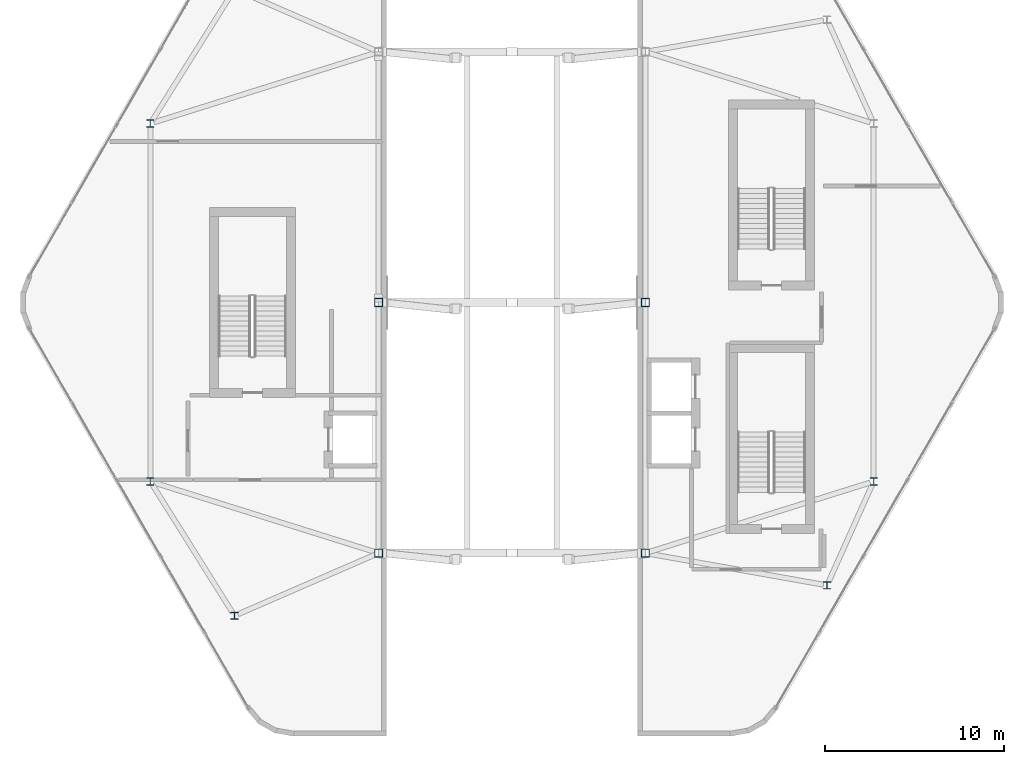
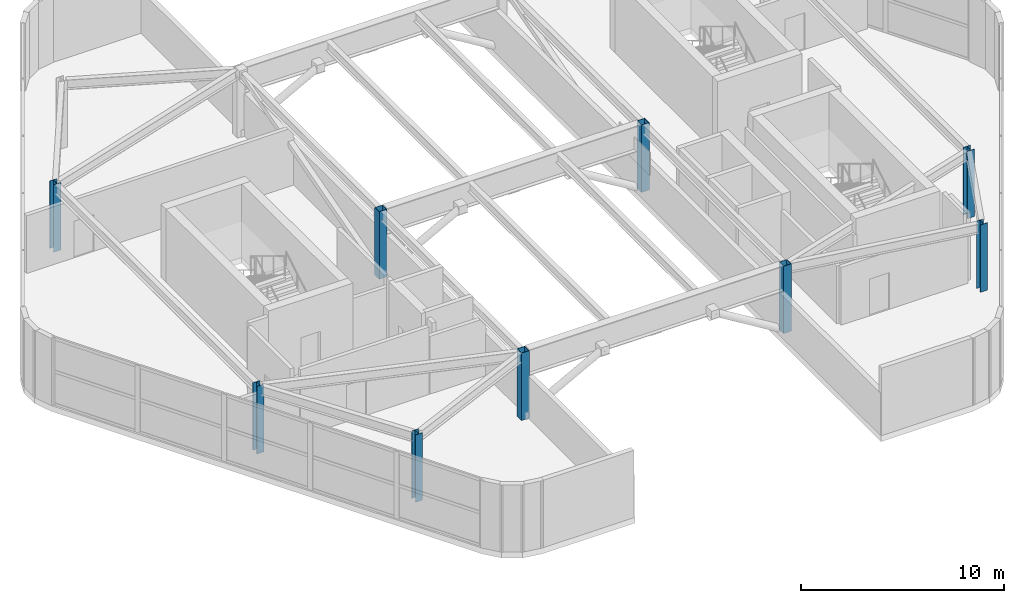
# One storey, part 1 of 16: 9 columns.
"""IFC4 building model written with IfcOpenShell, lengths in metres."""

import ifcopenshell
import ifcopenshell.guid

model = None  # the IFC model being written
_history = None  # IfcOwnerHistory: only IFC2X3 demands one
_inside = {}  # id of a spatial element -> (the spatial element, [elements in it])
_under = {}  # id of a project, library or spatial element -> (it, [spatial elements below it])
_declared = {}  # id of a project -> (the project, [libraries it declares])
_typed = {}  # id of a type object -> (the type object, [elements of that type])
_made_of = {}  # id of a material, layer set ... -> (it, [elements and type objects made of it])


def new_model(schema):
    """Start an empty IFC model of exactly this schema.

    Asked for "IFC4X3", IfcOpenShell would pick the latest addendum, in which some entities
    have other attributes; the version numbers below select the first issue.
    IFC2X3 requires an IfcOwnerHistory on every rooted entity: one is made here for all.
    """
    global model, _history
    if schema == "IFC4X3":
        model = ifcopenshell.file(schema_version=(4, 3, 0, 0))
    else:
        model = ifcopenshell.file(schema=schema)
    _inside.clear()
    _under.clear()
    _declared.clear()
    _typed.clear()
    _made_of.clear()
    _history = None
    if model.schema == "IFC2X3":
        org = make("IfcOrganization", Name="unknown")
        user = make(
            "IfcPersonAndOrganization",
            ThePerson=make("IfcPerson", FamilyName="unknown"),
            TheOrganization=org,
        )
        app = make(
            "IfcApplication",
            ApplicationDeveloper=org,
            Version="unknown",
            ApplicationFullName="unknown",
            ApplicationIdentifier="unknown",
        )
        _history = make(
            "IfcOwnerHistory",
            OwningUser=user,
            OwningApplication=app,
            ChangeAction="ADDED",
            CreationDate=0,
        )
    return model


def make(cls, **values):
    """One entity of the class cls with the attributes given. An attribute that is None is left unset."""
    return model.create_entity(
        cls, **{name: value for name, value in values.items() if value is not None}
    )


def rooted(cls, **values):
    """An entity with a GlobalId (a new one), such as an element, a storey or a relation."""
    return make(cls, GlobalId=ifcopenshell.guid.new(), OwnerHistory=_history, **values)


def si_unit(unit_type, name, prefix=None):
    """IfcSIUnit, for example si_unit("LENGTHUNIT", "METRE", prefix="MILLI")."""
    return make("IfcSIUnit", UnitType=unit_type, Prefix=prefix, Name=name)


def assignment(units):
    """IfcUnitAssignment: the units of a project."""
    return None if units is None else make("IfcUnitAssignment", Units=units)


def point(xyz):
    """IfcCartesianPoint."""
    return None if xyz is None else make("IfcCartesianPoint", Coordinates=xyz)


def direction(xyz):
    """IfcDirection."""
    return None if xyz is None else make("IfcDirection", DirectionRatios=xyz)


def frame(location, z_axis=None, x_axis=None):
    """IfcAxis2Placement3D, a coordinate frame: its origin and axes. An axis left out is left unset."""
    return make(
        "IfcAxis2Placement3D",
        Location=point(location),
        Axis=direction(z_axis),
        RefDirection=direction(x_axis),
    )


def frame_2d(location, x_axis=None):
    """IfcAxis2Placement2D, a coordinate frame in the plane: its origin and x axis."""
    return make(
        "IfcAxis2Placement2D", Location=point(location), RefDirection=direction(x_axis)
    )


def origin():
    """The frame at (0, 0, 0) with its axes left unset."""
    return frame((0.0, 0.0, 0.0))


def origin_2d():
    """The frame at (0, 0) in the plane with its x axis left unset."""
    return frame_2d((0.0, 0.0))


def place(relative_to, where):
    """IfcLocalPlacement: puts the frame where relative to a parent placement (None: the world)."""
    return make(
        "IfcLocalPlacement", PlacementRelTo=relative_to, RelativePlacement=where
    )


def context(
    kind, dimensions, precision=None, world=None, true_north=None, identifier=None
):
    """IfcGeometricRepresentationContext, for example the 3D "Model" context."""
    return make(
        "IfcGeometricRepresentationContext",
        ContextIdentifier=identifier,
        ContextType=kind,
        CoordinateSpaceDimension=dimensions,
        Precision=precision,
        WorldCoordinateSystem=world,
        TrueNorth=true_north,
    )


def subcontext(parent, identifier, kind, view, scale=None):
    """IfcGeometricRepresentationSubContext, for example "Body" below "Model"."""
    return make(
        "IfcGeometricRepresentationSubContext",
        ContextIdentifier=identifier,
        ContextType=kind,
        ParentContext=parent,
        TargetScale=scale,
        TargetView=view,
    )


def project(units=None, contexts=None):
    """IfcProject with its units and contexts."""
    return rooted(
        "IfcProject",
        Name="project",
        RepresentationContexts=contexts,
        UnitsInContext=assignment(units),
    )


def spatial(cls, under=None, at=None, **own):
    """A site, building, storey or space (cls), placed at a placement, below another one or the project."""
    s = rooted(cls, ObjectPlacement=at, **own)
    if under is not None:
        _under.setdefault(under.id(), (under, []))[1].append(s)
    return s


def profile(cls, at=None, kind="AREA", **sizes):
    """A parametric profile (cls). Its sizes go by their IFC names, for example OverallWidth=200.0."""
    return make(cls, ProfileType=kind, Position=at, **sizes)


def hollow_rectangle(**sizes):
    """IfcRectangleHollowProfileDef."""
    return profile("IfcRectangleHollowProfileDef", **sizes)


def i_section(**sizes):
    """IfcIShapeProfileDef."""
    return profile("IfcIShapeProfileDef", **sizes)


def extrude(swept, where, along, depth):
    """IfcExtrudedAreaSolid: the profile swept, set in the frame where, extruded along a direction by depth."""
    return make(
        "IfcExtrudedAreaSolid",
        SweptArea=swept,
        Position=where,
        ExtrudedDirection=direction(along),
        Depth=depth,
    )


def shape(context_of_items, identifier, shape_type, items):
    """IfcShapeRepresentation: the items that make up one representation, for example the "Body"."""
    return make(
        "IfcShapeRepresentation",
        ContextOfItems=context_of_items,
        RepresentationIdentifier=identifier,
        RepresentationType=shape_type,
        Items=items,
    )


def material(Name=None, Category=None):
    """IfcMaterial."""
    return make("IfcMaterial", Name=Name, Category=Category)


def material_profile(
    of_material, cross_section, Name=None, Category=None, Priority=None
):
    """IfcMaterialProfile: a cross section and its material."""
    return make(
        "IfcMaterialProfile",
        Name=Name,
        Material=of_material,
        Profile=cross_section,
        Priority=Priority,
        Category=Category,
    )


def profile_set(profiles, Name=None, composite=None):
    """IfcMaterialProfileSet."""
    return make(
        "IfcMaterialProfileSet",
        Name=Name,
        MaterialProfiles=profiles,
        CompositeProfile=composite,
    )


def made_of(thing, what):
    """Note that an element or type object is made of a material, layer set ...; save() writes the relation."""
    if what is not None:
        _made_of.setdefault(what.id(), (what, []))[1].append(thing)
    return thing


def type_object(cls, material=None, **own):
    """A type object (cls), such as IfcWallType, which elements share."""
    return made_of(rooted(cls, **own), material)


def element(
    cls,
    number,
    at=None,
    inside=None,
    cuts=None,
    type_object=None,
    material=None,
    context=None,
    identifier="Body",
    shape_type=None,
    held_by="IfcProductDefinitionShape",
    body=None,
    shapes=None,
    **own,
):
    """One element of the class cls, such as IfcWall. Its Tag is "e" and its number.

    at: its placement. inside: the storey or other place that contains it. cuts: it is an
    opening in that element (IfcRelVoidsElement). A single representation is given by context,
    identifier, shape_type and body (its items); several are given by shapes. held_by: the class
    of the entity that holds the representations. save() writes the other relations.
    """
    e = rooted(cls, Tag="e%d" % number, ObjectPlacement=at, **own)
    if body is not None:
        shapes = [shape(context, identifier, shape_type, body)]
    if shapes is not None:
        e.Representation = make(held_by, Representations=shapes)
    if inside is not None:
        _inside.setdefault(inside.id(), (inside, []))[1].append(e)
    if cuts is not None:
        rooted(
            "IfcRelVoidsElement", RelatingBuildingElement=cuts, RelatedOpeningElement=e
        )
    if type_object is not None:
        _typed.setdefault(type_object.id(), (type_object, []))[1].append(e)
    return made_of(e, material)


def aggregate(whole, parts):
    """IfcRelAggregates: a whole, such as a stair, and the parts it consists of."""
    return rooted("IfcRelAggregates", RelatingObject=whole, RelatedObjects=parts)


def save(model, path):
    """Write the relations noted so far, then the file.

    IfcRelAggregates (storeys below a building ...), IfcRelContainedInSpatialStructure (elements
    in a storey), IfcRelDefinesByType, IfcRelAssociatesMaterial and IfcRelDeclares: one each for
    every whole, place, type object, material and project.
    """
    for whole, parts in _under.values():
        aggregate(whole, parts)
    for where, things in _inside.values():
        rooted(
            "IfcRelContainedInSpatialStructure",
            RelatedElements=things,
            RelatingStructure=where,
        )
    for kind, things in _typed.values():
        rooted("IfcRelDefinesByType", RelatedObjects=things, RelatingType=kind)
    for what, things in _made_of.values():
        rooted("IfcRelAssociatesMaterial", RelatedObjects=things, RelatingMaterial=what)
    for by, libraries in _declared.values():
        rooted("IfcRelDeclares", RelatingContext=by, RelatedDefinitions=libraries)
    model.write(path)


model = new_model("IFC4")

# Units and contexts
model_context = context("Model", 3, precision=1e-05, world=origin(), true_north=direction((0.0, 1.0)))
body_context = subcontext(model_context, "Body", "Model", "MODEL_VIEW")
ifc_project = project(units=[si_unit("LENGTHUNIT", "METRE"), si_unit("AREAUNIT", "SQUARE_METRE"), si_unit("VOLUMEUNIT", "CUBIC_METRE"), si_unit("PLANEANGLEUNIT", "RADIAN"), si_unit("MASSUNIT", "GRAM", prefix="KILO")], contexts=[model_context])

# Site, building, storey
site_placement = place(None, origin())
site = spatial("IfcSite", under=ifc_project, at=site_placement, CompositionType="ELEMENT")
building_placement = place(site_placement, origin())
building = spatial("IfcBuilding", under=site, at=building_placement, Name="Zuhravey Tower", CompositionType="ELEMENT")
storey_placement = place(building_placement, frame((0.0, 0.0, 374.60009765625)))
storey = spatial("IfcBuildingStorey", under=building, at=storey_placement, Name="L95", CompositionType="ELEMENT", Elevation=374.60009765625)

# Columns
ifc_material = material(Name="Steel SM355", Category="steel")
ifc_material_profile_1 = material_profile(ifc_material, i_section(OverallWidth=0.39990234375, OverallDepth=0.39990234375, WebThickness=0.012939453125, FlangeThickness=0.02099609375, at=origin_2d()), Name="H-400x400x13x21")
ifc_profile_set_1 = profile_set([ifc_material_profile_1], Name="Steel SM355")
column_type_1 = type_object("IfcColumnType", Name="Crown Crest Column H400x400", PredefinedType="COLUMN", material=ifc_profile_set_1)
for number, where, z_axis, x_axis, name in (
    (1, (15.800048828125, 22.0, 0.0), (0.0, 0.0, 1.0), (1.0, 0.0, 0.0), "L95 West Crest Column WC1"),
    (2, (15.800048828125, 42.0, 0.0), (0.0, 0.0, 1.0), (1.0, 0.0, 0.0), "L95 West Crest Column WC2"),
    (3, (20.5, 14.5, 0.0), (0.0, 0.0, 1.0), (1.0, 0.0, 0.0), "L95 West Crest Column WC3"),
    (4, (56.199951171875, 22.0, 0.0), (0.0, 0.0, 1.0), (1.0, 0.0, 0.0), "L95 East Crest Column EC1"),
    (5, (53.60009765625, 16.199951171875, 0.0), (0.0, 0.0, 1.0), (1.0, 0.0, 0.0), "L95 East Crest Column EC3"),
):
    element("IfcColumn", number, at=place(storey_placement, frame(where, z_axis=z_axis, x_axis=x_axis)), inside=storey, type_object=column_type_1, Name=name, PredefinedType="COLUMN", context=body_context, shape_type="SweptSolid", body=[
        extrude(i_section(OverallWidth=0.39990234375, OverallDepth=0.39990234375, WebThickness=0.012939453125, FlangeThickness=0.02099609375, at=origin_2d()), origin(), (0.0, 0.0, 1.0), 4.0498046875),
    ])
ifc_material_profile_2 = material_profile(ifc_material, hollow_rectangle(XDim=0.449951171875, YDim=0.449951171875, WallThickness=0.02197265625, at=origin_2d()), Name="RHS-450x450x22")
ifc_profile_set_2 = profile_set([ifc_material_profile_2], Name="Steel SM355")
column_type_2 = type_object("IfcColumnType", Name="Crown Portal Pilaster RHS450x450", PredefinedType="PILASTER", material=ifc_profile_set_2)
for number, where, z_axis, x_axis, name in (
    (6, (28.550048828125, 18.0, 0.0), (0.0, 0.0, 1.0), (1.0, 0.0, 0.0), "L95 West Crest Column WP1"),
    (7, (28.550048828125, 32.0, 0.0), (0.0, 0.0, 1.0), (1.0, 0.0, 0.0), "L95 West Crest Column WP2"),
    (8, (43.449951171875, 18.0, 0.0), (0.0, 0.0, 1.0), (1.0, 0.0, 0.0), "L95 East Crest Column EP1"),
    (9, (43.449951171875, 32.0, 0.0), (0.0, 0.0, 1.0), (1.0, 0.0, 0.0), "L95 East Crest Column EP2"),
):
    element("IfcColumn", number, at=place(storey_placement, frame(where, z_axis=z_axis, x_axis=x_axis)), inside=storey, type_object=column_type_2, Name=name, PredefinedType="PILASTER", context=body_context, shape_type="SweptSolid", body=[
        extrude(hollow_rectangle(XDim=0.449951171875, YDim=0.449951171875, WallThickness=0.02197265625, at=origin_2d()), origin(), (0.0, 0.0, 1.0), 4.0498046875),
    ])

save(model, "model.ifc")
